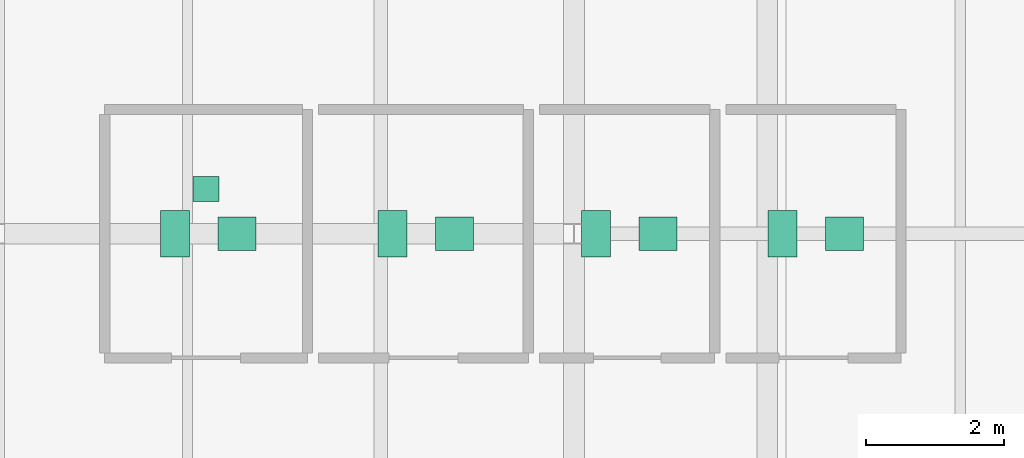
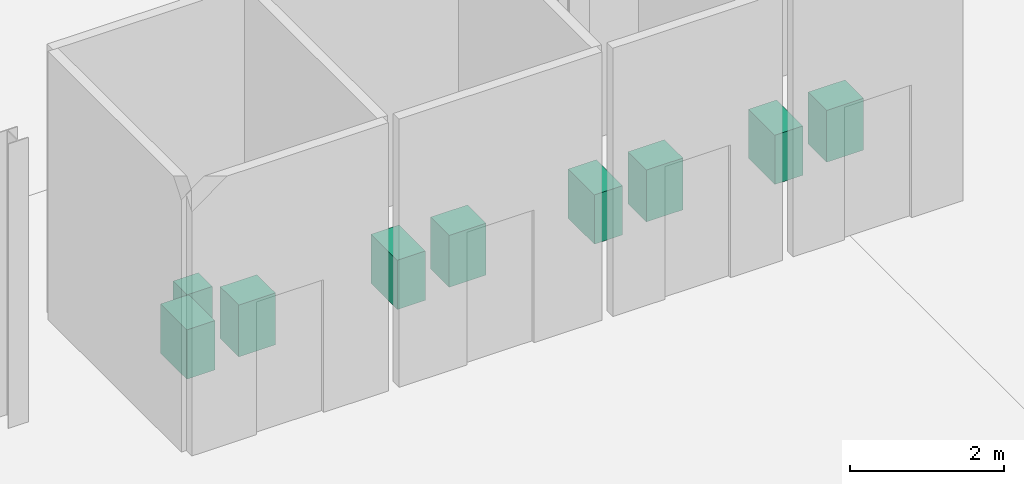
# One storey, part 40 of 40: 9 sanitary terminals.
"""IFC4 building model written with IfcOpenShell, lengths in metres."""

from ifc_helpers import new_model, si_unit, direction, frame, origin, origin_2d, place, context, subcontext, project, spatial, rectangle, extrude, material, type_object, element, save


model = new_model("IFC4")

# Units and contexts
model_context = context("Model", 3, precision=1e-05, world=origin(), true_north=direction((0.0, 1.0)))
body_context = subcontext(model_context, "Body", "Model", "MODEL_VIEW")
ifc_project = project(units=[si_unit("LENGTHUNIT", "METRE"), si_unit("AREAUNIT", "SQUARE_METRE"), si_unit("VOLUMEUNIT", "CUBIC_METRE"), si_unit("PLANEANGLEUNIT", "RADIAN"), si_unit("MASSUNIT", "GRAM", prefix="KILO"), si_unit("THERMODYNAMICTEMPERATUREUNIT", "KELVIN")], contexts=[model_context])

# Site, building, storey
site_placement = place(None, origin())
site = spatial("IfcSite", under=ifc_project, at=site_placement, CompositionType="ELEMENT")
building_placement = place(site_placement, origin())
building = spatial("IfcBuilding", under=site, at=building_placement, Name="Lustrewick Department Store", CompositionType="ELEMENT")
storey_placement = place(building_placement, frame((0.0, 0.0, 31.800048828125)))
storey = spatial("IfcBuildingStorey", under=building, at=storey_placement, Name="L07", CompositionType="ELEMENT", Elevation=31.800048828125)

# Sanitary terminals
ifc_material = material(Name="Glazed white vitreous china sanitaryware", Category="masonry")
sanitary_terminal_type_1 = type_object("IfcSanitaryTerminalType", Name="SAN-URI", PredefinedType="URINAL", material=ifc_material)
sanitary_terminal_placement = place(storey_placement, frame((120.669921875, 67.85009765625, 0.0), z_axis=(0.0, 0.0, 1.0), x_axis=(1.0, 0.0, 0.0)))
element("IfcSanitaryTerminal", 1, at=sanitary_terminal_placement, inside=storey, type_object=sanitary_terminal_type_1, Name="L07 Male Public WC Urinal", PredefinedType="URINAL", context=body_context, shape_type="SweptSolid", body=[
    extrude(rectangle(XDim=0.3798828125, YDim=0.360107421875, at=origin_2d()), origin(), (0.0, 0.0, 1.0), 0.679931640625),
])
sanitary_terminal_type_2 = type_object("IfcSanitaryTerminalType", Name="SAN-WC", PredefinedType="TOILETPAN", material=ifc_material)
for number, where, z_axis, x_axis, name in (
    (2, (120.219970703125, 67.199951171875, 0.0), (0.0, 0.0, 1.0), (1.0, 0.0, 0.0), "L07 Male Public WC WC Pan"),
    (3, (123.3701171875, 67.199951171875, 0.0), (0.0, 0.0, 1.0), (1.0, 0.0, 0.0), "L07 Female Public WC WC Pan"),
    (4, (126.320068359375, 67.199951171875, 0.0), (0.0, 0.0, 1.0), (1.0, 0.0, 0.0), "L07 Accessible WC WC Pan"),
    (5, (129.02001953125, 67.199951171875, 0.0), (0.0, 0.0, 1.0), (1.0, 0.0, 0.0), "L07 Staff WC WC Pan"),
):
    element("IfcSanitaryTerminal", number, at=place(storey_placement, frame(where, z_axis=z_axis, x_axis=x_axis)), inside=storey, type_object=sanitary_terminal_type_2, Name=name, PredefinedType="TOILETPAN", context=body_context, shape_type="SweptSolid", body=[
        extrude(rectangle(XDim=0.419921875, YDim=0.679931640625, at=origin_2d()), origin(), (0.0, 0.0, 1.0), 0.780029296875),
    ])
sanitary_terminal_type_3 = type_object("IfcSanitaryTerminalType", Name="SAN-WHB", PredefinedType="WASHHANDBASIN", material=ifc_material)
for number, where, z_axis, x_axis, name in (
    (6, (121.1201171875, 67.199951171875, 0.0), (0.0, 0.0, 1.0), (1.0, 0.0, 0.0), "L07 Male Public WC Washbasin"),
    (7, (124.27001953125, 67.199951171875, 0.0), (0.0, 0.0, 1.0), (1.0, 0.0, 0.0), "L07 Female Public WC Washbasin"),
    (8, (127.219970703125, 67.199951171875, 0.0), (0.0, 0.0, 1.0), (1.0, 0.0, 0.0), "L07 Accessible WC Washbasin"),
    (9, (129.919921875, 67.199951171875, 0.0), (0.0, 0.0, 1.0), (1.0, 0.0, 0.0), "L07 Staff WC Washbasin"),
):
    element("IfcSanitaryTerminal", number, at=place(storey_placement, frame(where, z_axis=z_axis, x_axis=x_axis)), inside=storey, type_object=sanitary_terminal_type_3, Name=name, PredefinedType="WASHHANDBASIN", context=body_context, shape_type="SweptSolid", body=[
        extrude(rectangle(XDim=0.550048828125, YDim=0.47998046875, at=origin_2d()), origin(), (0.0, 0.0, 1.0), 0.820068359375),
    ])

save(model, "model.ifc")
